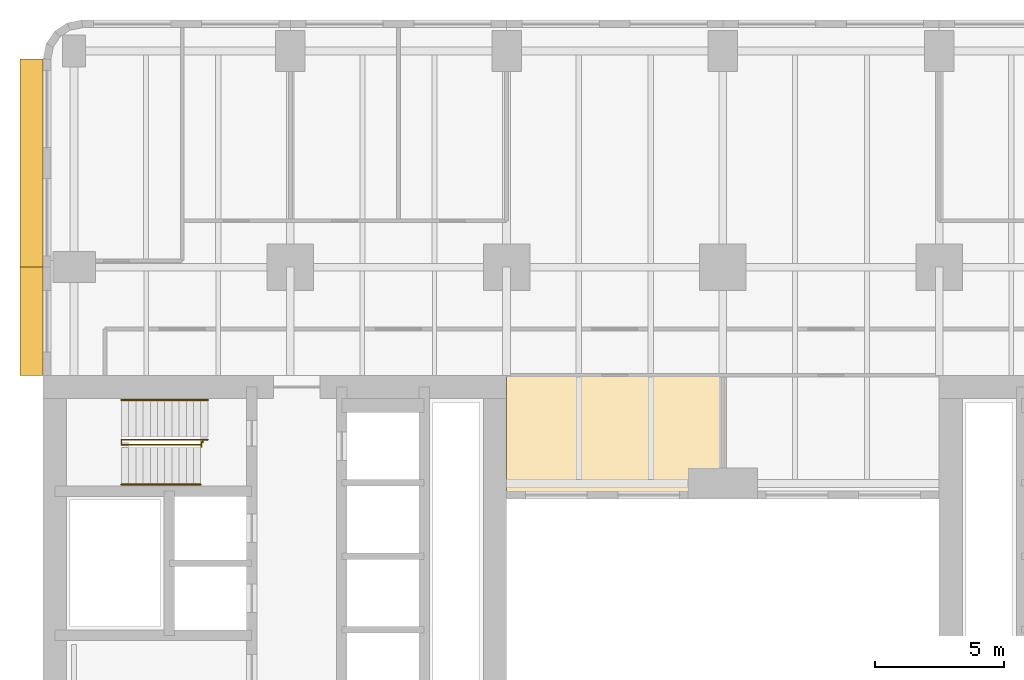
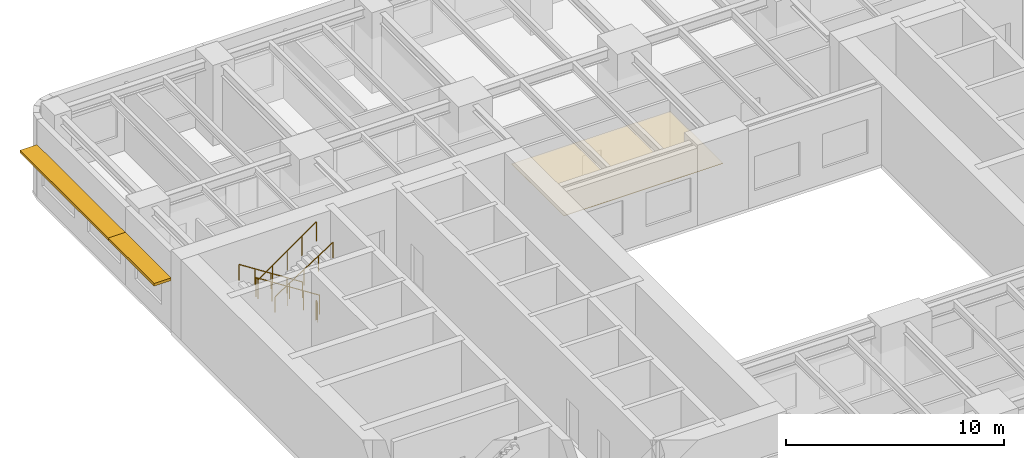
# One storey, part 12 of 14: 4 railings, 2 shading devices, 1 covering.
"""IFC4 building model written with IfcOpenShell, lengths in metres."""

from ifc_helpers import new_model, si_unit, direction, frame, origin, origin_2d, place, context, subcontext, project, spatial, polyline, rectangle, circle, outline, extrude, material, layer, layer_set, type_object, element, save


model = new_model("IFC4")

# Units and contexts
model_context = context("Model", 3, precision=1e-05, world=origin(), true_north=direction((0.0, 1.0)))
body_context = subcontext(model_context, "Body", "Model", "MODEL_VIEW")
ifc_project = project(units=[si_unit("LENGTHUNIT", "METRE"), si_unit("AREAUNIT", "SQUARE_METRE"), si_unit("VOLUMEUNIT", "CUBIC_METRE"), si_unit("PLANEANGLEUNIT", "RADIAN"), si_unit("MASSUNIT", "GRAM", prefix="KILO")], contexts=[model_context])

# Site, building, storey
site_placement = place(None, origin())
site = spatial("IfcSite", under=ifc_project, at=site_placement, CompositionType="ELEMENT")
building_placement = place(site_placement, origin())
building = spatial("IfcBuilding", under=site, at=building_placement, Name="Claustro Exchange Tower", CompositionType="ELEMENT")
storey_placement = place(building_placement, frame((0.0, 0.0, 72.89990234375)))
storey = spatial("IfcBuildingStorey", under=building, at=storey_placement, Name="L16", CompositionType="ELEMENT", Elevation=72.89990234375)

# Covering
ifc_material_1 = material(Name="Perforated metal ceiling tiles", Category="steel")
ifc_layer_1 = layer(ifc_material_1, 0.030029296875)
ifc_layer_set_1 = layer_set([ifc_layer_1], Name="Perforated metal ceiling tiles")
covering_type = type_object("IfcCoveringType", Name="CL1 suspended metal ceiling", PredefinedType="CEILING", material=ifc_layer_set_1)
covering_placement = place(storey_placement, frame((0.0, 0.0, 3.0)))
element("IfcCovering", 1, at=covering_placement, inside=storey, type_object=covering_type, Name="Ceiling CL1 L16-11", PredefinedType="CEILING", context=body_context, shape_type="SweptSolid", body=[
    extrude(outline(polyline([(16.800048828125, 33.0), (25.199951171875, 33.0), (25.199951171875, 37.800048828125), (16.800048828125, 37.800048828125), (16.800048828125, 33.0)])), origin(), (0.0, 0.0, 1.0), 0.030029296875),
])

# Railings
ifc_material_2 = material(Name="Steel balustrade, painted", Category="steel")
railing_type_1 = type_object("IfcRailingType", Name="GR2 1100 steel stair guard", PredefinedType="GUARDRAIL", material=ifc_material_2)
railing_1_placement = place(storey_placement, frame((5.199951171875, 35.300048828125, 0.18017578125)))
element("IfcRailing", 2, at=railing_1_placement, inside=storey, type_object=railing_type_1, Name="Stair well guard GR2 stair STWB L16", PredefinedType="GUARDRAIL", context=body_context, shape_type="SweptSolid", body=[
    extrude(circle(Radius=0.02392578125, at=origin_2d()), frame((0.0, 0.0, 1.076171875), z_axis=(-0.841178475377, 0.0, 0.540757591313), x_axis=(0.0, -1.0, 0.0)), (0.0, 0.0, 1.0), 3.994140625),
    extrude(circle(Radius=0.02392578125, at=origin_2d()), frame((-3.35986328125, 0.0, 3.23583984375), z_axis=(0.0, -1.0, 0.0), x_axis=(1.0, 0.0, 0.0)), (0.0, 0.0, 1.0), 0.199951171875),
    extrude(circle(Radius=0.02392578125, at=origin_2d()), frame((-3.35986328125, -0.199951171875, 3.23583984375), z_axis=(0.818728512145, 0.0, 0.574180828137), x_axis=(0.0, 1.0, 0.0)), (0.0, 0.0, 1.0), 3.76171875),
    extrude(circle(Radius=0.02099609375, at=origin_2d()), origin(), (0.0, 0.0, 1.0), 1.052001953125),
    extrude(circle(Radius=0.02099609375, at=origin_2d()), frame((-0.83984375, 0.0, 0.5400390625)), (0.0, 0.0, 1.0), 1.052001953125),
    extrude(circle(Radius=0.02099609375, at=origin_2d()), frame((-1.679931640625, 0.0, 1.080078125)), (0.0, 0.0, 1.0), 1.052001953125),
    extrude(circle(Radius=0.02099609375, at=origin_2d()), frame((-2.52001953125, 0.0, 1.619873046875)), (0.0, 0.0, 1.0), 1.052001953125),
    extrude(circle(Radius=0.02099609375, at=origin_2d()), frame((-3.35986328125, 0.0, 2.159912109375)), (0.0, 0.0, 1.0), 1.052001953125),
    extrude(circle(Radius=0.02099609375, at=origin_2d()), frame((-3.35986328125, -0.199951171875, 2.159912109375)), (0.0, 0.0, 1.0), 1.052001953125),
    extrude(circle(Radius=0.02099609375, at=origin_2d()), frame((-2.58984375, -0.199951171875, 2.699951171875)), (0.0, 0.0, 1.0), 1.052001953125),
    extrude(circle(Radius=0.02099609375, at=origin_2d()), frame((-1.81982421875, -0.199951171875, 3.23974609375)), (0.0, 0.0, 1.0), 1.052001953125),
    extrude(circle(Radius=0.02099609375, at=origin_2d()), frame((-1.050048828125, -0.199951171875, 3.77978515625)), (0.0, 0.0, 1.0), 1.052001953125),
    extrude(circle(Radius=0.02099609375, at=origin_2d()), frame((-0.280029296875, -0.199951171875, 4.31982421875)), (0.0, 0.0, 1.0), 1.052001953125),
])
railing_2_placement = place(storey_placement, frame((5.0, 35.22998046875, 0.0)))
element("IfcRailing", 3, at=railing_2_placement, inside=storey, type_object=railing_type_1, Name="Stair guard GR2 STWB L16", PredefinedType="GUARDRAIL", context=body_context, shape_type="SweptSolid", body=[
    extrude(circle(Radius=0.02392578125, at=origin_2d()), frame((0.0, 0.0, 1.076171875), z_axis=(0.0, -1.0, 0.0), x_axis=(1.0, 0.0, 0.0)), (0.0, 0.0, 1.0), 0.030029296875),
    extrude(circle(Radius=0.02392578125, at=origin_2d()), frame((0.0, -0.030029296875, 1.076171875), z_axis=(-1.0, 0.0, 0.0), x_axis=(0.0, -1.0, 0.0)), (0.0, 0.0, 1.0), 0.054931640625),
    extrude(circle(Radius=0.02392578125, at=origin_2d()), frame((-0.054931640625, -0.030029296875, 1.076171875), z_axis=(0.0, -1.0, 0.0), x_axis=(1.0, 0.0, 0.0)), (0.0, 0.0, 1.0), 0.179931640625),
    extrude(circle(Radius=0.02099609375, at=origin_2d()), origin(), (0.0, 0.0, 1.0), 1.052001953125),
    extrude(circle(Radius=0.02099609375, at=origin_2d()), frame((0.0, -0.030029296875, 0.0)), (0.0, 0.0, 1.0), 1.052001953125),
    extrude(circle(Radius=0.02099609375, at=origin_2d()), frame((-0.054931640625, -0.030029296875, 0.0)), (0.0, 0.0, 1.0), 1.052001953125),
    extrude(circle(Radius=0.02099609375, at=origin_2d()), frame((-0.054931640625, -0.2099609375, 0.0)), (0.0, 0.0, 1.0), 1.052001953125),
])
ifc_material_3 = material(Name="Stainless steel tube", Category="steel")
railing_type_2 = type_object("IfcRailingType", Name="HR1 900 stair handrail", PredefinedType="HANDRAIL", material=ifc_material_3)
railing_3_placement = place(storey_placement, frame((5.199951171875, 36.840087890625, 0.18017578125)))
element("IfcRailing", 4, at=railing_3_placement, inside=storey, type_object=railing_type_2, Name="Handrail HR1 stair STWB L16", PredefinedType="HANDRAIL", context=body_context, shape_type="SweptSolid", body=[
    extrude(circle(Radius=0.02392578125, at=origin_2d()), frame((0.0, 0.0, 0.8759765625), z_axis=(-0.841178475377, 0.0, 0.540757591313), x_axis=(0.0, -1.0, 0.0)), (0.0, 0.0, 1.0), 3.994140625),
    extrude(circle(Radius=0.02099609375, at=origin_2d()), origin(), (0.0, 0.0, 1.0), 0.851806640625),
    extrude(circle(Radius=0.02099609375, at=origin_2d()), frame((-0.83984375, 0.0, 0.5400390625)), (0.0, 0.0, 1.0), 0.851806640625),
    extrude(circle(Radius=0.02099609375, at=origin_2d()), frame((-1.679931640625, 0.0, 1.080078125)), (0.0, 0.0, 1.0), 0.851806640625),
    extrude(circle(Radius=0.02099609375, at=origin_2d()), frame((-2.52001953125, 0.0, 1.619873046875)), (0.0, 0.0, 1.0), 0.851806640625),
    extrude(circle(Radius=0.02099609375, at=origin_2d()), frame((-3.35986328125, 0.0, 2.159912109375)), (0.0, 0.0, 1.0), 0.851806640625),
])
railing_4_placement = place(storey_placement, frame((1.840087890625, 33.56005859375, 2.52001953125)))
element("IfcRailing", 5, at=railing_4_placement, inside=storey, type_object=railing_type_2, Name="Handrail HR1 stair STWB L16", PredefinedType="HANDRAIL", context=body_context, shape_type="SweptSolid", body=[
    extrude(circle(Radius=0.02392578125, at=origin_2d()), frame((0.0, 0.0, 0.8759765625), z_axis=(0.841167642724, 0.0, 0.540774441735), x_axis=(0.0, 1.0, 0.0)), (0.0, 0.0, 1.0), 3.661376953125),
    extrude(circle(Radius=0.02099609375, at=origin_2d()), origin(), (0.0, 0.0, 1.0), 0.851806640625),
    extrude(circle(Radius=0.02099609375, at=origin_2d()), frame((0.77001953125, 0.0, 0.4951171875)), (0.0, 0.0, 1.0), 0.851806640625),
    extrude(circle(Radius=0.02099609375, at=origin_2d()), frame((1.5400390625, 0.0, 0.989990234375)), (0.0, 0.0, 1.0), 0.851806640625),
    extrude(circle(Radius=0.02099609375, at=origin_2d()), frame((2.309814453125, 0.0, 1.48486328125)), (0.0, 0.0, 1.0), 0.851806640625),
    extrude(circle(Radius=0.02099609375, at=origin_2d()), frame((3.079833984375, 0.0, 1.97998046875)), (0.0, 0.0, 1.0), 0.851806640625),
])

# Shading devices
ifc_material_4 = material(Name="Concrete HA-40 (C40/50), precast, white cement, acid-etched", Category="concrete")
ifc_layer_2 = layer(ifc_material_4, 0.14990234375)
ifc_layer_set_2 = layer_set([ifc_layer_2], Name="Concrete HA-40 (C40/50), precast, white cement, acid-etched")
shading_device_type = type_object("IfcShadingDeviceType", Name="SS2 900 precast concrete SUNSHADE", PredefinedType="SHUTTER", material=ifc_layer_set_2)
shading_device_1_placement = place(storey_placement, frame((-1.64990234375, 39.89990234375, 2.800048828125), z_axis=(0.0, 0.0, 1.0), x_axis=(0.0, 1.0, 0.0)))
element("IfcShadingDevice", 6, at=shading_device_1_placement, inside=storey, type_object=shading_device_type, Name="Precast SUNSHADE SS2 L16", PredefinedType="SHUTTER", context=body_context, shape_type="SweptSolid", body=[
    extrude(rectangle(XDim=4.199951171875, YDim=0.89990234375, at=origin_2d()), origin(), (0.0, 0.0, 1.0), 0.14990234375),
])
shading_device_2_placement = place(storey_placement, frame((-1.64990234375, 46.04248046875, 2.800048828125), z_axis=(0.0, 0.0, 1.0), x_axis=(0.0, 1.0, 0.0)))
element("IfcShadingDevice", 7, at=shading_device_2_placement, inside=storey, type_object=shading_device_type, Name="Precast SUNSHADE SS2 L16", PredefinedType="SHUTTER", context=body_context, shape_type="SweptSolid", body=[
    extrude(rectangle(XDim=8.085205078125, YDim=0.89990234375, at=origin_2d()), origin(), (0.0, 0.0, 1.0), 0.14990234375),
])

save(model, "model.ifc")
